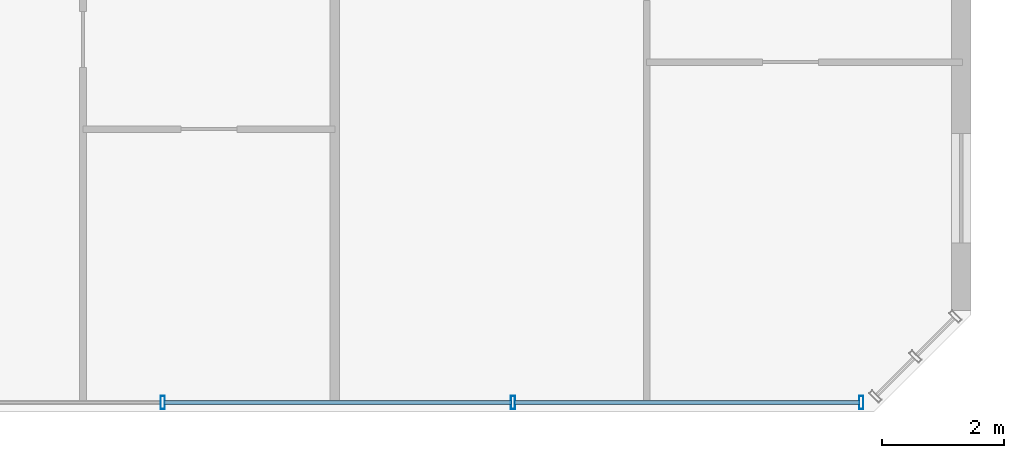
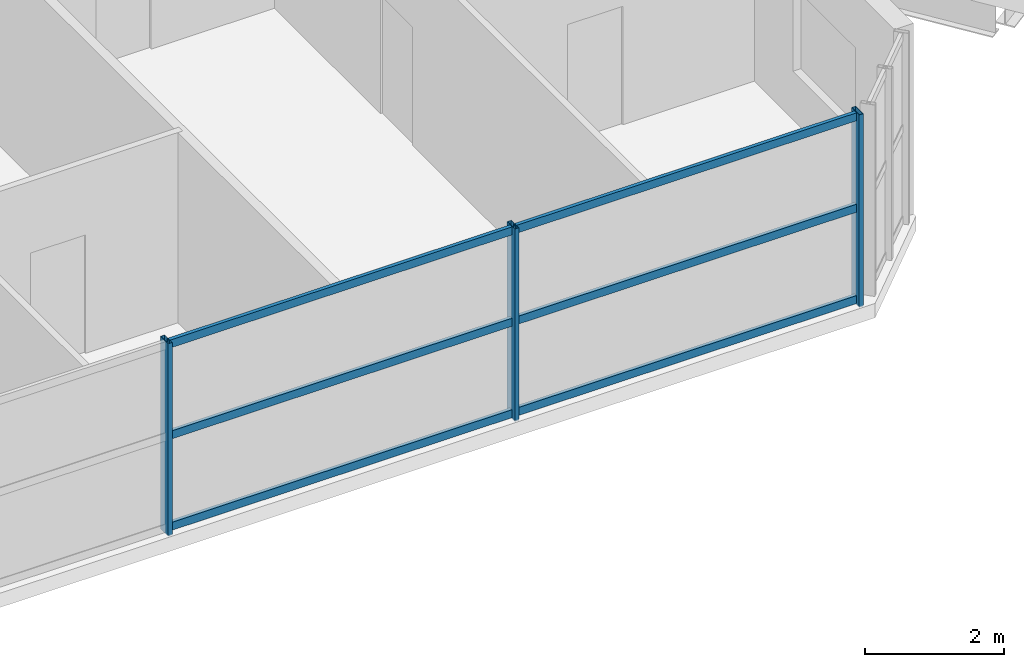
# One storey, part 7 of 24: 9 members, 1 element without a shape of its own.
"""IFC4 building model written with IfcOpenShell, lengths in metres."""

import ifcopenshell
import ifcopenshell.guid

model = None  # the IFC model being written
_history = None  # IfcOwnerHistory: only IFC2X3 demands one
_inside = {}  # id of a spatial element -> (the spatial element, [elements in it])
_under = {}  # id of a project, library or spatial element -> (it, [spatial elements below it])
_declared = {}  # id of a project -> (the project, [libraries it declares])
_typed = {}  # id of a type object -> (the type object, [elements of that type])
_made_of = {}  # id of a material, layer set ... -> (it, [elements and type objects made of it])


def new_model(schema):
    """Start an empty IFC model of exactly this schema.

    Asked for "IFC4X3", IfcOpenShell would pick the latest addendum, in which some entities
    have other attributes; the version numbers below select the first issue.
    IFC2X3 requires an IfcOwnerHistory on every rooted entity: one is made here for all.
    """
    global model, _history
    if schema == "IFC4X3":
        model = ifcopenshell.file(schema_version=(4, 3, 0, 0))
    else:
        model = ifcopenshell.file(schema=schema)
    _inside.clear()
    _under.clear()
    _declared.clear()
    _typed.clear()
    _made_of.clear()
    _history = None
    if model.schema == "IFC2X3":
        org = make("IfcOrganization", Name="unknown")
        user = make(
            "IfcPersonAndOrganization",
            ThePerson=make("IfcPerson", FamilyName="unknown"),
            TheOrganization=org,
        )
        app = make(
            "IfcApplication",
            ApplicationDeveloper=org,
            Version="unknown",
            ApplicationFullName="unknown",
            ApplicationIdentifier="unknown",
        )
        _history = make(
            "IfcOwnerHistory",
            OwningUser=user,
            OwningApplication=app,
            ChangeAction="ADDED",
            CreationDate=0,
        )
    return model


def make(cls, **values):
    """One entity of the class cls with the attributes given. An attribute that is None is left unset."""
    return model.create_entity(
        cls, **{name: value for name, value in values.items() if value is not None}
    )


def rooted(cls, **values):
    """An entity with a GlobalId (a new one), such as an element, a storey or a relation."""
    return make(cls, GlobalId=ifcopenshell.guid.new(), OwnerHistory=_history, **values)


def si_unit(unit_type, name, prefix=None):
    """IfcSIUnit, for example si_unit("LENGTHUNIT", "METRE", prefix="MILLI")."""
    return make("IfcSIUnit", UnitType=unit_type, Prefix=prefix, Name=name)


def assignment(units):
    """IfcUnitAssignment: the units of a project."""
    return None if units is None else make("IfcUnitAssignment", Units=units)


def point(xyz):
    """IfcCartesianPoint."""
    return None if xyz is None else make("IfcCartesianPoint", Coordinates=xyz)


def direction(xyz):
    """IfcDirection."""
    return None if xyz is None else make("IfcDirection", DirectionRatios=xyz)


def frame(location, z_axis=None, x_axis=None):
    """IfcAxis2Placement3D, a coordinate frame: its origin and axes. An axis left out is left unset."""
    return make(
        "IfcAxis2Placement3D",
        Location=point(location),
        Axis=direction(z_axis),
        RefDirection=direction(x_axis),
    )


def frame_2d(location, x_axis=None):
    """IfcAxis2Placement2D, a coordinate frame in the plane: its origin and x axis."""
    return make(
        "IfcAxis2Placement2D", Location=point(location), RefDirection=direction(x_axis)
    )


def origin():
    """The frame at (0, 0, 0) with its axes left unset."""
    return frame((0.0, 0.0, 0.0))


def origin_2d():
    """The frame at (0, 0) in the plane with its x axis left unset."""
    return frame_2d((0.0, 0.0))


def place(relative_to, where):
    """IfcLocalPlacement: puts the frame where relative to a parent placement (None: the world)."""
    return make(
        "IfcLocalPlacement", PlacementRelTo=relative_to, RelativePlacement=where
    )


def context(
    kind, dimensions, precision=None, world=None, true_north=None, identifier=None
):
    """IfcGeometricRepresentationContext, for example the 3D "Model" context."""
    return make(
        "IfcGeometricRepresentationContext",
        ContextIdentifier=identifier,
        ContextType=kind,
        CoordinateSpaceDimension=dimensions,
        Precision=precision,
        WorldCoordinateSystem=world,
        TrueNorth=true_north,
    )


def subcontext(parent, identifier, kind, view, scale=None):
    """IfcGeometricRepresentationSubContext, for example "Body" below "Model"."""
    return make(
        "IfcGeometricRepresentationSubContext",
        ContextIdentifier=identifier,
        ContextType=kind,
        ParentContext=parent,
        TargetScale=scale,
        TargetView=view,
    )


def project(units=None, contexts=None):
    """IfcProject with its units and contexts."""
    return rooted(
        "IfcProject",
        Name="project",
        RepresentationContexts=contexts,
        UnitsInContext=assignment(units),
    )


def spatial(cls, under=None, at=None, **own):
    """A site, building, storey or space (cls), placed at a placement, below another one or the project."""
    s = rooted(cls, ObjectPlacement=at, **own)
    if under is not None:
        _under.setdefault(under.id(), (under, []))[1].append(s)
    return s


def profile(cls, at=None, kind="AREA", **sizes):
    """A parametric profile (cls). Its sizes go by their IFC names, for example OverallWidth=200.0."""
    return make(cls, ProfileType=kind, Position=at, **sizes)


def hollow_rectangle(**sizes):
    """IfcRectangleHollowProfileDef."""
    return profile("IfcRectangleHollowProfileDef", **sizes)


def extrude(swept, where, along, depth):
    """IfcExtrudedAreaSolid: the profile swept, set in the frame where, extruded along a direction by depth."""
    return make(
        "IfcExtrudedAreaSolid",
        SweptArea=swept,
        Position=where,
        ExtrudedDirection=direction(along),
        Depth=depth,
    )


def shape(context_of_items, identifier, shape_type, items):
    """IfcShapeRepresentation: the items that make up one representation, for example the "Body"."""
    return make(
        "IfcShapeRepresentation",
        ContextOfItems=context_of_items,
        RepresentationIdentifier=identifier,
        RepresentationType=shape_type,
        Items=items,
    )


def source(mapping_origin, context_of_items, identifier, shape_type, items):
    """IfcRepresentationMap: a shape defined once, which mapped items show again and again."""
    return make(
        "IfcRepresentationMap",
        MappingOrigin=mapping_origin,
        MappedRepresentation=shape(context_of_items, identifier, shape_type, items),
    )


def transform(
    local_origin,
    x_axis=None,
    y_axis=None,
    z_axis=None,
    scale=None,
    scale2=None,
    scale3=None,
    uniform=True,
):
    """IfcCartesianTransformationOperator3D, or its non-uniform kind. x_axis, y_axis, z_axis: its Axis1, 2, 3."""
    if uniform:
        return make(
            "IfcCartesianTransformationOperator3D",
            Axis1=direction(x_axis),
            Axis2=direction(y_axis),
            LocalOrigin=point(local_origin),
            Scale=scale,
            Axis3=direction(z_axis),
        )
    return make(
        "IfcCartesianTransformationOperator3DnonUniform",
        Axis1=direction(x_axis),
        Axis2=direction(y_axis),
        LocalOrigin=point(local_origin),
        Scale=scale,
        Axis3=direction(z_axis),
        Scale2=scale2,
        Scale3=scale3,
    )


def mapped(mapping_source, mapping_target):
    """IfcMappedItem: shows the shape of a source again, moved by a transform."""
    return make(
        "IfcMappedItem", MappingSource=mapping_source, MappingTarget=mapping_target
    )


def material(Name=None, Category=None):
    """IfcMaterial."""
    return make("IfcMaterial", Name=Name, Category=Category)


def material_profile(
    of_material, cross_section, Name=None, Category=None, Priority=None
):
    """IfcMaterialProfile: a cross section and its material."""
    return make(
        "IfcMaterialProfile",
        Name=Name,
        Material=of_material,
        Profile=cross_section,
        Priority=Priority,
        Category=Category,
    )


def profile_set(profiles, Name=None, composite=None):
    """IfcMaterialProfileSet."""
    return make(
        "IfcMaterialProfileSet",
        Name=Name,
        MaterialProfiles=profiles,
        CompositeProfile=composite,
    )


def made_of(thing, what):
    """Note that an element or type object is made of a material, layer set ...; save() writes the relation."""
    if what is not None:
        _made_of.setdefault(what.id(), (what, []))[1].append(thing)
    return thing


def type_object(cls, material=None, **own):
    """A type object (cls), such as IfcWallType, which elements share."""
    return made_of(rooted(cls, **own), material)


def element(
    cls,
    number,
    at=None,
    inside=None,
    cuts=None,
    type_object=None,
    material=None,
    context=None,
    identifier="Body",
    shape_type=None,
    held_by="IfcProductDefinitionShape",
    body=None,
    shapes=None,
    **own,
):
    """One element of the class cls, such as IfcWall. Its Tag is "e" and its number.

    at: its placement. inside: the storey or other place that contains it. cuts: it is an
    opening in that element (IfcRelVoidsElement). A single representation is given by context,
    identifier, shape_type and body (its items); several are given by shapes. held_by: the class
    of the entity that holds the representations. save() writes the other relations.
    """
    e = rooted(cls, Tag="e%d" % number, ObjectPlacement=at, **own)
    if body is not None:
        shapes = [shape(context, identifier, shape_type, body)]
    if shapes is not None:
        e.Representation = make(held_by, Representations=shapes)
    if inside is not None:
        _inside.setdefault(inside.id(), (inside, []))[1].append(e)
    if cuts is not None:
        rooted(
            "IfcRelVoidsElement", RelatingBuildingElement=cuts, RelatedOpeningElement=e
        )
    if type_object is not None:
        _typed.setdefault(type_object.id(), (type_object, []))[1].append(e)
    return made_of(e, material)


def aggregate(whole, parts):
    """IfcRelAggregates: a whole, such as a stair, and the parts it consists of."""
    return rooted("IfcRelAggregates", RelatingObject=whole, RelatedObjects=parts)


def save(model, path):
    """Write the relations noted so far, then the file.

    IfcRelAggregates (storeys below a building ...), IfcRelContainedInSpatialStructure (elements
    in a storey), IfcRelDefinesByType, IfcRelAssociatesMaterial and IfcRelDeclares: one each for
    every whole, place, type object, material and project.
    """
    for whole, parts in _under.values():
        aggregate(whole, parts)
    for where, things in _inside.values():
        rooted(
            "IfcRelContainedInSpatialStructure",
            RelatedElements=things,
            RelatingStructure=where,
        )
    for kind, things in _typed.values():
        rooted("IfcRelDefinesByType", RelatedObjects=things, RelatingType=kind)
    for what, things in _made_of.values():
        rooted("IfcRelAssociatesMaterial", RelatedObjects=things, RelatingMaterial=what)
    for by, libraries in _declared.values():
        rooted("IfcRelDeclares", RelatingContext=by, RelatedDefinitions=libraries)
    model.write(path)


model = new_model("IFC4")

# Units and contexts
model_context = context("Model", 3, precision=1e-05, world=origin(), true_north=direction((0.0, 1.0)))
body_context = subcontext(model_context, "Body", "Model", "MODEL_VIEW")
ifc_project = project(units=[si_unit("LENGTHUNIT", "METRE"), si_unit("AREAUNIT", "SQUARE_METRE"), si_unit("VOLUMEUNIT", "CUBIC_METRE"), si_unit("PLANEANGLEUNIT", "RADIAN"), si_unit("MASSUNIT", "GRAM", prefix="KILO")], contexts=[model_context])

# Site, building, storey
site_placement = place(None, origin())
site = spatial("IfcSite", under=ifc_project, at=site_placement, CompositionType="ELEMENT")
building_placement = place(site_placement, origin())
building = spatial("IfcBuilding", under=site, at=building_placement, Name="Tlacorven Tower", CompositionType="ELEMENT")
storey_placement = place(building_placement, frame((0.0, 0.0, 60.0)))
storey = spatial("IfcBuildingStorey", under=building, at=storey_placement, Name="L15", CompositionType="ELEMENT", Elevation=60.0)

# Curtain wall, members
ifc_material_1 = material(Name="Dark solar low-E double glazing in aluminium frame", Category="aluminium")
curtain_wall_type = type_object("IfcCurtainWallType", Name="CW-TWR-LOW", PredefinedType="USERDEFINED", material=ifc_material_1)
curtain_wall_placement = place(storey_placement, origin())
curtain_wall = element("IfcCurtainWall", 1, at=curtain_wall_placement, inside=storey, type_object=curtain_wall_type, Name="L15 CW-TWR-LOW Curtain Wall 82", ObjectType="UNITISED CURTAIN WALL", PredefinedType="USERDEFINED")
ifc_material_2 = material(Name="Aluminium 6063-T6 anodised", Category="aluminium")
ifc_material_profile_1 = material_profile(ifc_material_2, hollow_rectangle(XDim=0.070068359375, YDim=0.219970703125, WallThickness=0.0048828125, at=origin_2d()), Name="ALU MULLION 70X220")
ifc_profile_set_1 = profile_set([ifc_material_profile_1], Name="Aluminium 6063-T6 anodised")
member_type_1 = type_object("IfcMemberType", Name="CWM-01", PredefinedType="MULLION", material=ifc_profile_set_1)
shared_shape_1 = source(origin(), body_context, "Body", "SweptSolid", [
    extrude(hollow_rectangle(XDim=0.070068359375, YDim=0.219970703125, WallThickness=0.0048828125, at=origin_2d()), origin(), (0.0, 0.0, 1.0), 3.380126953125),
])
member_1_placement = place(storey_placement, frame((50.5986328125, 1.9599609375, -0.02001953125), z_axis=(0.0, 0.0, 1.0), x_axis=(-1.0, 0.0, 0.0)))
member_1 = element("IfcMember", 2, at=member_1_placement, type_object=member_type_1, Name="CW-L15-082 Mullion 1", PredefinedType="MULLION", context=body_context, shape_type="MappedRepresentation", body=[
    mapped(shared_shape_1, transform((0.0, 0.0, 0.0), scale=1.0)),
])
member_2_placement = place(storey_placement, frame((44.8779296875, 1.9599609375, -0.02001953125), z_axis=(0.0, 0.0, 1.0), x_axis=(-1.0, 0.0, 0.0)))
member_2 = element("IfcMember", 3, at=member_2_placement, type_object=member_type_1, Name="CW-L15-082 Mullion 2", PredefinedType="MULLION", context=body_context, shape_type="MappedRepresentation", body=[
    mapped(shared_shape_1, transform((0.0, 0.0, 0.0), scale=1.0)),
])
member_3_placement = place(storey_placement, frame((39.1220703125, 1.9599609375, -0.02001953125), z_axis=(0.0, 0.0, 1.0), x_axis=(-1.0, 0.0, 0.0)))
member_3 = element("IfcMember", 4, at=member_3_placement, type_object=member_type_1, Name="CW-L15-082 Mullion 3", PredefinedType="MULLION", context=body_context, shape_type="MappedRepresentation", body=[
    mapped(shared_shape_1, transform((0.0, 0.0, 0.0), scale=1.0)),
])
ifc_material_profile_2 = material_profile(ifc_material_2, hollow_rectangle(XDim=0.06005859375, YDim=0.139892578125, WallThickness=0.00390625, at=origin_2d()), Name="ALU TRANSOM 60X140")
ifc_profile_set_2 = profile_set([ifc_material_profile_2], Name="Aluminium 6063-T6 anodised")
member_type_2 = type_object("IfcMemberType", Name="CWT-02", PredefinedType="USERDEFINED", material=ifc_profile_set_2)
shared_shape_2 = source(origin(), body_context, "Body", "SweptSolid", [
    extrude(hollow_rectangle(XDim=0.06005859375, YDim=0.139892578125, WallThickness=0.00390625, at=origin_2d()), origin(), (0.0, 0.0, 1.0), 5.6748046875),
])
member_4_placement = place(storey_placement, frame((50.57568359375, 1.9599609375, 0.070068359375), z_axis=(-1.0, 0.0, 0.0), x_axis=(0.0, -1.0, 0.0)))
member_4 = element("IfcMember", 5, at=member_4_placement, type_object=member_type_2, Name="CW-L15-082 Transom 1", ObjectType="TRANSOM", PredefinedType="USERDEFINED", context=body_context, shape_type="MappedRepresentation", body=[
    mapped(shared_shape_2, transform((0.0, 0.0, 0.0), scale=1.0)),
])
member_5_placement = place(storey_placement, frame((50.57568359375, 1.9599609375, 1.675048828125), z_axis=(-1.0, 0.0, 0.0), x_axis=(0.0, -1.0, 0.0)))
member_5 = element("IfcMember", 6, at=member_5_placement, type_object=member_type_2, Name="CW-L15-082 Transom 2", ObjectType="TRANSOM", PredefinedType="USERDEFINED", context=body_context, shape_type="MappedRepresentation", body=[
    mapped(shared_shape_2, transform((0.0, 0.0, 0.0), scale=1.0)),
])
member_6_placement = place(storey_placement, frame((50.57568359375, 1.9599609375, 3.280029296875), z_axis=(-1.0, 0.0, 0.0), x_axis=(0.0, -1.0, 0.0)))
member_6 = element("IfcMember", 7, at=member_6_placement, type_object=member_type_2, Name="CW-L15-082 Transom 3", ObjectType="TRANSOM", PredefinedType="USERDEFINED", context=body_context, shape_type="MappedRepresentation", body=[
    mapped(shared_shape_2, transform((0.0, 0.0, 0.0), scale=1.0)),
])
shared_shape_3 = source(origin(), body_context, "Body", "SweptSolid", [
    extrude(hollow_rectangle(XDim=0.06005859375, YDim=0.139892578125, WallThickness=0.00390625, at=origin_2d()), origin(), (0.0, 0.0, 1.0), 5.7099609375),
])
member_7_placement = place(storey_placement, frame((44.85498046875, 1.9599609375, 0.070068359375), z_axis=(-1.0, 0.0, 0.0), x_axis=(0.0, -1.0, 0.0)))
member_7 = element("IfcMember", 8, at=member_7_placement, type_object=member_type_2, Name="CW-L15-082 Transom 4", ObjectType="TRANSOM", PredefinedType="USERDEFINED", context=body_context, shape_type="MappedRepresentation", body=[
    mapped(shared_shape_3, transform((0.0, 0.0, 0.0), scale=1.0)),
])
member_8_placement = place(storey_placement, frame((44.85498046875, 1.9599609375, 1.675048828125), z_axis=(-1.0, 0.0, 0.0), x_axis=(0.0, -1.0, 0.0)))
member_8 = element("IfcMember", 9, at=member_8_placement, type_object=member_type_2, Name="CW-L15-082 Transom 5", ObjectType="TRANSOM", PredefinedType="USERDEFINED", context=body_context, shape_type="MappedRepresentation", body=[
    mapped(shared_shape_3, transform((0.0, 0.0, 0.0), scale=1.0)),
])
member_9_placement = place(storey_placement, frame((44.85498046875, 1.9599609375, 3.280029296875), z_axis=(-1.0, 0.0, 0.0), x_axis=(0.0, -1.0, 0.0)))
member_9 = element("IfcMember", 10, at=member_9_placement, type_object=member_type_2, Name="CW-L15-082 Transom 6", ObjectType="TRANSOM", PredefinedType="USERDEFINED", context=body_context, shape_type="MappedRepresentation", body=[
    mapped(shared_shape_3, transform((0.0, 0.0, 0.0), scale=1.0)),
])
aggregate(curtain_wall, [member_1, member_2, member_3, member_4, member_5, member_6, member_7, member_8, member_9])

save(model, "model.ifc")
